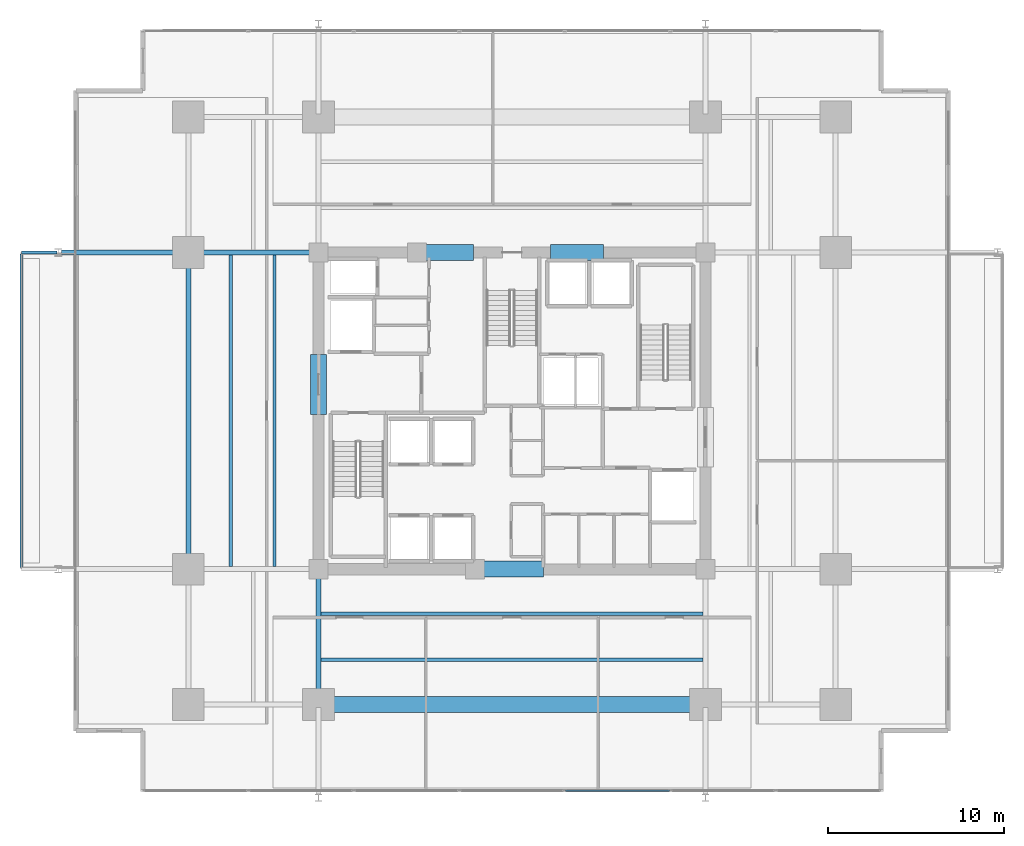
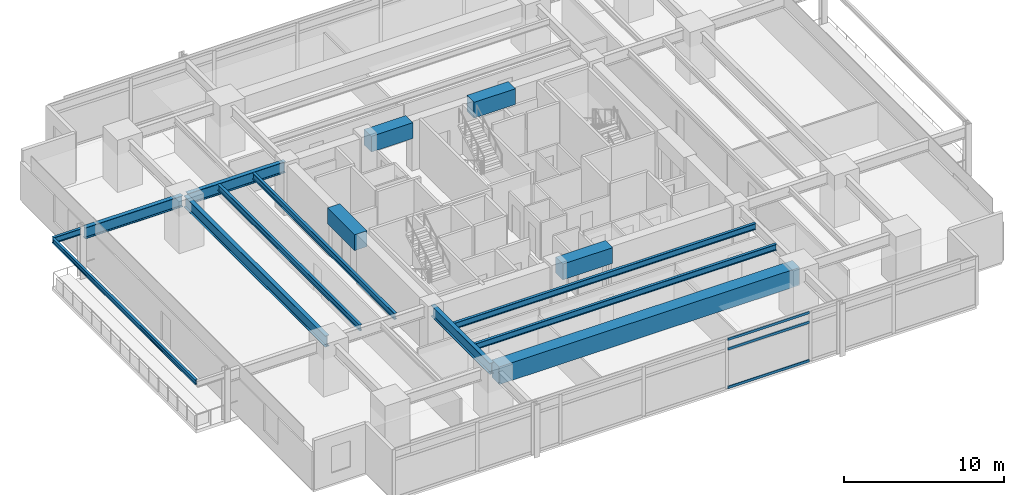
# One storey, part 5 of 21: 15 beams, 3 members, 1 element without a shape of its own.
"""IFC4 building model written with IfcOpenShell, lengths in metres."""

from ifc_helpers import new_model, si_unit, direction, frame, origin, origin_2d, place, context, subcontext, project, spatial, rectangle, hollow_rectangle, i_section, extrude, material, material_profile, profile_set, type_object, element, aggregate, save


model = new_model("IFC4")

# Units and contexts
model_context = context("Model", 3, precision=1e-05, world=origin(), true_north=direction((0.0, 1.0)))
body_context = subcontext(model_context, "Body", "Model", "MODEL_VIEW")
ifc_project = project(units=[si_unit("LENGTHUNIT", "METRE"), si_unit("AREAUNIT", "SQUARE_METRE"), si_unit("VOLUMEUNIT", "CUBIC_METRE"), si_unit("PLANEANGLEUNIT", "RADIAN"), si_unit("MASSUNIT", "GRAM", prefix="KILO")], contexts=[model_context])

# Site, building, storey
site_placement = place(None, origin())
site = spatial("IfcSite", under=ifc_project, at=site_placement, CompositionType="ELEMENT")
building_placement = place(site_placement, origin())
building = spatial("IfcBuilding", under=site, at=building_placement, Name="Kovane Verandah Tower", CompositionType="ELEMENT")
storey_placement = place(building_placement, frame((0.0, 0.0, 27.60009765625)))
storey = spatial("IfcBuildingStorey", under=building, at=storey_placement, Name="L05", CompositionType="ELEMENT", Elevation=27.60009765625)

# Beams
ifc_material_1 = material(Name="Concrete C80/95", Category="concrete")
ifc_material_profile_1 = material_profile(ifc_material_1, rectangle(XDim=0.89990234375, YDim=1.199951171875, at=origin_2d()), Name="RCB900x1200")
ifc_profile_set_1 = profile_set([ifc_material_profile_1], Name="Concrete C80/95")
beam_type_1 = type_object("IfcBeamType", Name="BM-LINTEL-900x1200", PredefinedType="LINTEL", material=ifc_profile_set_1)
beam_1_placement = place(storey_placement, frame((38.199951171875, 18.5, 3.159912109375), z_axis=(1.0, 0.0, 0.0), x_axis=(0.0, 1.0, 0.0)))
element("IfcBeam", 1, at=beam_1_placement, inside=storey, type_object=beam_type_1, Name="L05 Core Coupling Lintel CL-S", PredefinedType="LINTEL", context=body_context, shape_type="SweptSolid", body=[
    extrude(rectangle(XDim=0.89990234375, YDim=1.199951171875, at=origin_2d()), origin(), (0.0, 0.0, 1.0), 3.60009765625),
])
for number, where, z_axis, x_axis, name in (
    (2, (34.800048828125, 36.5, 3.159912109375), (1.0, 0.0, 0.0), (0.0, 1.0, 0.0), "L05 Core Coupling Lintel CL-N1"),
    (3, (42.199951171875, 36.5, 3.159912109375), (1.0, 0.0, 0.0), (0.0, 1.0, 0.0), "L05 Core Coupling Lintel CL-N2"),
):
    element("IfcBeam", number, at=place(storey_placement, frame(where, z_axis=z_axis, x_axis=x_axis)), inside=storey, type_object=beam_type_1, Name=name, PredefinedType="LINTEL", context=body_context, shape_type="SweptSolid", body=[
        extrude(rectangle(XDim=0.89990234375, YDim=1.199951171875, at=origin_2d()), origin(), (0.0, 0.0, 1.0), 3.0),
    ])
beam_2_placement = place(storey_placement, frame((29.0, 27.300048828125, 3.159912109375), z_axis=(0.0, 1.0, 0.0), x_axis=(-1.0, 0.0, 0.0)))
element("IfcBeam", 4, at=beam_2_placement, inside=storey, type_object=beam_type_1, Name="L05 Core Coupling Lintel CL-W", PredefinedType="LINTEL", context=body_context, shape_type="SweptSolid", body=[
    extrude(rectangle(XDim=0.89990234375, YDim=1.199951171875, at=origin_2d()), origin(), (0.0, 0.0, 1.0), 3.39990234375),
])
ifc_material_profile_2 = material_profile(ifc_material_1, rectangle(XDim=0.89990234375, YDim=1.35009765625, at=origin_2d()), Name="RCB900x1350")
ifc_profile_set_2 = profile_set([ifc_material_profile_2], Name="Concrete C80/95")
beam_type_2 = type_object("IfcBeamType", Name="BM-TR-900x1350", PredefinedType="BEAM", material=ifc_profile_set_2)
beam_3_placement = place(storey_placement, frame((29.179931640625, 10.800048828125, 3.0849609375), z_axis=(1.0, 0.0, 0.0), x_axis=(0.0, 1.0, 0.0)))
element("IfcBeam", 5, at=beam_3_placement, inside=storey, type_object=beam_type_2, Name="L05 Primary Tower Girder G-RS2", PredefinedType="BEAM", context=body_context, shape_type="SweptSolid", body=[
    extrude(rectangle(XDim=0.89990234375, YDim=1.35009765625, at=origin_2d()), origin(), (0.0, 0.0, 1.0), 21.64013671875),
])
ifc_material_2 = material(Name="Steel S355", Category="steel")
ifc_material_profile_3 = material_profile(ifc_material_2, i_section(OverallWidth=0.293701171875, OverallDepth=0.850830078125, WebThickness=0.01611328125, FlangeThickness=0.02685546875, FilletRadius=0.017822265625, at=origin_2d()), Name="UB838x292x226")
ifc_profile_set_3 = profile_set([ifc_material_profile_3], Name="Steel S355")
beam_type_3 = type_object("IfcBeamType", Name="BM-UB838x226", PredefinedType="BEAM", material=ifc_profile_set_3)
beam_4_placement = place(storey_placement, frame((21.60009765625, 18.679931640625, 3.33447265625), z_axis=(0.0, 1.0, 0.0), x_axis=(-1.0, 0.0, 0.0)))
element("IfcBeam", 6, at=beam_4_placement, inside=storey, type_object=beam_type_3, Name="L05 Primary Tower Girder G-RW2", PredefinedType="BEAM", context=body_context, shape_type="SweptSolid", body=[
    extrude(i_section(OverallWidth=0.293701171875, OverallDepth=0.850830078125, WebThickness=0.01611328125, FlangeThickness=0.02685546875, FilletRadius=0.017822265625, at=origin_2d()), origin(), (0.0, 0.0, 1.0), 17.64013671875),
])
beam_5_placement = place(storey_placement, frame((28.820068359375, 36.5, 3.33447265625), z_axis=(-1.0, 0.0, 0.0), x_axis=(0.0, -1.0, 0.0)))
element("IfcBeam", 7, at=beam_5_placement, inside=storey, type_object=beam_type_3, Name="L05 Primary Tower Girder G-W2", PredefinedType="BEAM", context=body_context, shape_type="SweptSolid", body=[
    extrude(i_section(OverallWidth=0.293701171875, OverallDepth=0.850830078125, WebThickness=0.01611328125, FlangeThickness=0.02685546875, FilletRadius=0.017822265625, at=origin_2d()), origin(), (0.0, 0.0, 1.0), 7.0400390625),
])
beam_6_placement = place(storey_placement, frame((29.0, 18.320068359375, 3.33447265625), z_axis=(0.0, -1.0, 0.0), x_axis=(1.0, 0.0, 0.0)))
element("IfcBeam", 8, at=beam_6_placement, inside=storey, type_object=beam_type_3, Name="L05 Primary Tower Girder G-S1", PredefinedType="BEAM", context=body_context, shape_type="SweptSolid", body=[
    extrude(i_section(OverallWidth=0.293701171875, OverallDepth=0.850830078125, WebThickness=0.01611328125, FlangeThickness=0.02685546875, FilletRadius=0.017822265625, at=origin_2d()), origin(), (0.0, 0.0, 1.0), 7.340087890625),
])
beam_7_placement = place(storey_placement, frame((21.419921875, 36.5, 3.33447265625), z_axis=(-1.0, 0.0, 0.0), x_axis=(0.0, -1.0, 0.0)))
element("IfcBeam", 9, at=beam_7_placement, inside=storey, type_object=beam_type_3, Name="L05 Primary Tower Girder G-VW2", PredefinedType="BEAM", context=body_context, shape_type="SweptSolid", body=[
    extrude(i_section(OverallWidth=0.293701171875, OverallDepth=0.850830078125, WebThickness=0.01611328125, FlangeThickness=0.02685546875, FilletRadius=0.017822265625, at=origin_2d()), origin(), (0.0, 0.0, 1.0), 7.0400390625),
])

# Curtain wall, members
ifc_material_3 = material(Name="Champagne Anodised Aluminium Frame with Low-E Clear Laminated Glass", Category="aluminium")
curtain_wall_type = type_object("IfcCurtainWallType", Name="CW-SYS-02-LOW", PredefinedType="NOTDEFINED", material=ifc_material_3)
curtain_wall_placement = place(storey_placement, origin())
curtain_wall = element("IfcCurtainWall", 10, at=curtain_wall_placement, inside=storey, type_object=curtain_wall_type, Name="L05 S Unitised Curtain Wall", PredefinedType="NOTDEFINED")
ifc_material_4 = material(Name="Champagne Anodised Aluminium 6063-T6", Category="aluminium")
ifc_material_profile_4 = material_profile(ifc_material_4, hollow_rectangle(XDim=0.0849609375, YDim=0.18994140625, WallThickness=0.00390625, at=origin_2d()), Name="AL85x190x4")
ifc_profile_set_4 = profile_set([ifc_material_profile_4], Name="Champagne Anodised Aluminium 6063-T6")
member_type = type_object("IfcMemberType", Name="CW-TRN-85x190", PredefinedType="USERDEFINED", material=ifc_profile_set_4)
member_1_placement = place(storey_placement, frame((43.050048828125, 5.89990234375, 0.0498046875), z_axis=(1.0, 0.0, 0.0), x_axis=(0.0, 1.0, 0.0)))
member_1 = element("IfcMember", 11, at=member_1_placement, type_object=member_type, Name="L05 S Unitised Curtain Wall Transom TB Bay 5", ObjectType="TRANSOM", PredefinedType="USERDEFINED", context=body_context, shape_type="SweptSolid", body=[
    extrude(hollow_rectangle(XDim=0.0849609375, YDim=0.18994140625, WallThickness=0.00390625, at=origin_2d()), origin(), (0.0, 0.0, 1.0), 5.89990234375),
])
member_2_placement = place(storey_placement, frame((43.050048828125, 5.89990234375, 2.97998046875), z_axis=(1.0, 0.0, 0.0), x_axis=(0.0, 1.0, 0.0)))
member_2 = element("IfcMember", 12, at=member_2_placement, type_object=member_type, Name="L05 S Unitised Curtain Wall Transom TM Bay 5", ObjectType="TRANSOM", PredefinedType="USERDEFINED", context=body_context, shape_type="SweptSolid", body=[
    extrude(hollow_rectangle(XDim=0.0849609375, YDim=0.18994140625, WallThickness=0.00390625, at=origin_2d()), origin(), (0.0, 0.0, 1.0), 5.89990234375),
])
member_3_placement = place(storey_placement, frame((43.050048828125, 5.89990234375, 3.7099609375), z_axis=(1.0, 0.0, 0.0), x_axis=(0.0, 1.0, 0.0)))
member_3 = element("IfcMember", 13, at=member_3_placement, type_object=member_type, Name="L05 S Unitised Curtain Wall Transom TT Bay 5", ObjectType="TRANSOM", PredefinedType="USERDEFINED", context=body_context, shape_type="SweptSolid", body=[
    extrude(hollow_rectangle(XDim=0.0849609375, YDim=0.18994140625, WallThickness=0.00390625, at=origin_2d()), origin(), (0.0, 0.0, 1.0), 5.89990234375),
])
aggregate(curtain_wall, [member_1, member_2, member_3])

# Beams
ifc_material_profile_5 = material_profile(ifc_material_2, i_section(OverallWidth=0.19287109375, OverallDepth=0.46728515625, WebThickness=0.011474609375, FlangeThickness=0.01953125, FilletRadius=0.01025390625, at=origin_2d()), Name="UB457x191x98")
ifc_profile_set_5 = profile_set([ifc_material_profile_5], Name="Steel S355")
beam_type_4 = type_object("IfcBeamType", Name="JST-UB457x98", PredefinedType="JOIST", material=ifc_profile_set_5)
for number, where, z_axis, x_axis, name in (
    (14, (29.14501953125, 13.35009765625, 3.5263671875), (1.0, 0.0, 0.0), (0.0, 1.0, 0.0), "L05 Secondary Composite Joist J-S1"),
    (15, (29.14501953125, 15.949951171875, 3.5263671875), (1.0, 0.0, 0.0), (0.0, 1.0, 0.0), "L05 Secondary Composite Joist J-S2"),
):
    element("IfcBeam", number, at=place(storey_placement, frame(where, z_axis=z_axis, x_axis=x_axis)), inside=storey, type_object=beam_type_4, Name=name, PredefinedType="JOIST", context=body_context, shape_type="SweptSolid", body=[
        extrude(i_section(OverallWidth=0.19287109375, OverallDepth=0.46728515625, WebThickness=0.011474609375, FlangeThickness=0.01953125, FilletRadius=0.01025390625, at=origin_2d()), origin(), (0.0, 0.0, 1.0), 21.7099609375),
    ])
for number, where, z_axis, x_axis, name in (
    (16, (24.0, 18.64501953125, 3.5263671875), (0.0, 1.0, 0.0), (-1.0, 0.0, 0.0), "L05 Secondary Composite Joist J-W1"),
    (17, (26.5, 18.64501953125, 3.5263671875), (0.0, 1.0, 0.0), (-1.0, 0.0, 0.0), "L05 Secondary Composite Joist J-W2"),
):
    element("IfcBeam", number, at=place(storey_placement, frame(where, z_axis=z_axis, x_axis=x_axis)), inside=storey, type_object=beam_type_4, Name=name, PredefinedType="JOIST", context=body_context, shape_type="SweptSolid", body=[
        extrude(i_section(OverallWidth=0.19287109375, OverallDepth=0.46728515625, WebThickness=0.011474609375, FlangeThickness=0.01953125, FilletRadius=0.01025390625, at=origin_2d()), origin(), (0.0, 0.0, 1.0), 17.7099609375),
    ])
beam_8_placement = place(storey_placement, frame((14.1201171875, 36.5, 3.5263671875), z_axis=(-1.0, 0.0, 0.0), x_axis=(0.0, -1.0, 0.0)))
element("IfcBeam", 18, at=beam_8_placement, inside=storey, type_object=beam_type_4, Name="L05 West Planter Girder 2", PredefinedType="JOIST", context=body_context, shape_type="SweptSolid", body=[
    extrude(i_section(OverallWidth=0.19287109375, OverallDepth=0.46728515625, WebThickness=0.011474609375, FlangeThickness=0.01953125, FilletRadius=0.01025390625, at=origin_2d()), origin(), (0.0, 0.0, 1.0), 2.005859375),
])
ifc_material_profile_6 = material_profile(ifc_material_2, i_section(OverallWidth=0.173095703125, OverallDepth=0.36328125, WebThickness=0.009033203125, FlangeThickness=0.015625, FilletRadius=0.01025390625, at=origin_2d()), Name="UB356x171x67")
ifc_profile_set_6 = profile_set([ifc_material_profile_6], Name="Steel S355")
beam_type_5 = type_object("IfcBeamType", Name="SPD-UB356x67", PredefinedType="USERDEFINED", material=ifc_profile_set_6)
beam_9_placement = place(storey_placement, frame((12.1142578125, 18.594482421875, 3.578125), z_axis=(0.0, 1.0, 0.0), x_axis=(-1.0, 0.0, 0.0)))
element("IfcBeam", 19, at=beam_9_placement, inside=storey, type_object=beam_type_5, Name="L05 West Planter Edge Spandrel", ObjectType="SPANDREL", PredefinedType="USERDEFINED", context=body_context, shape_type="SweptSolid", body=[
    extrude(i_section(OverallWidth=0.173095703125, OverallDepth=0.36328125, WebThickness=0.009033203125, FlangeThickness=0.015625, FilletRadius=0.01025390625, at=origin_2d()), origin(), (0.0, 0.0, 1.0), 17.81103515625),
])

save(model, "model.ifc")
